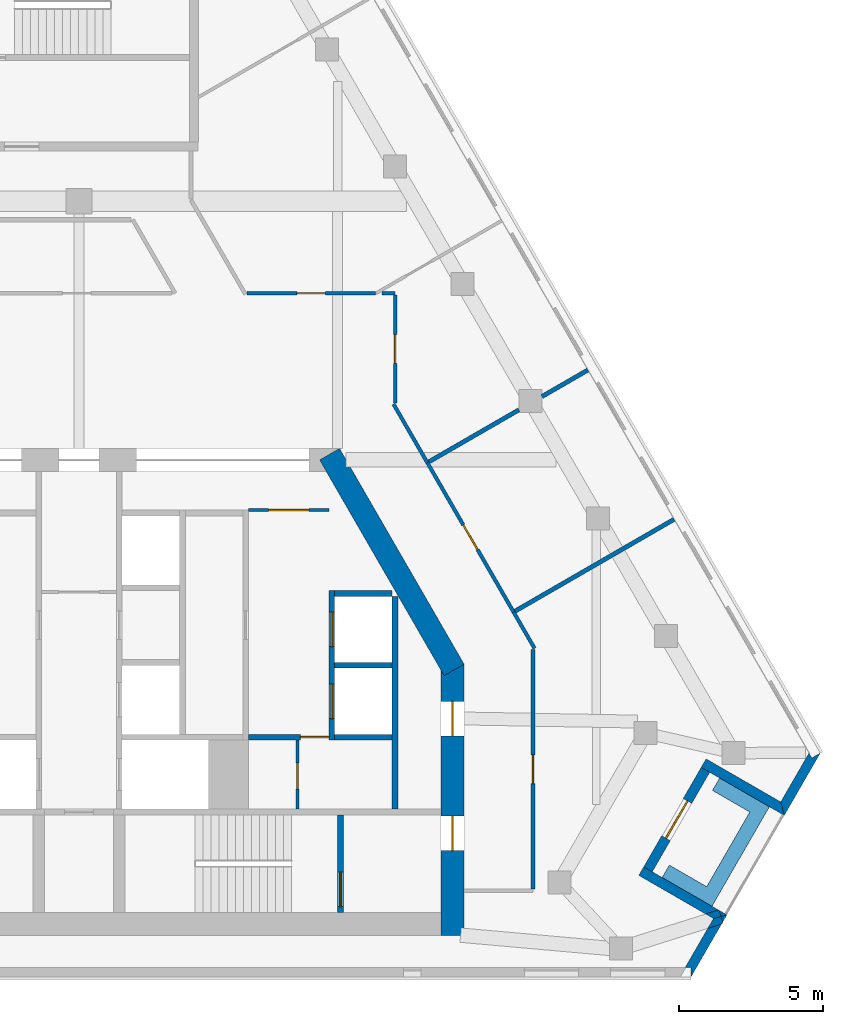
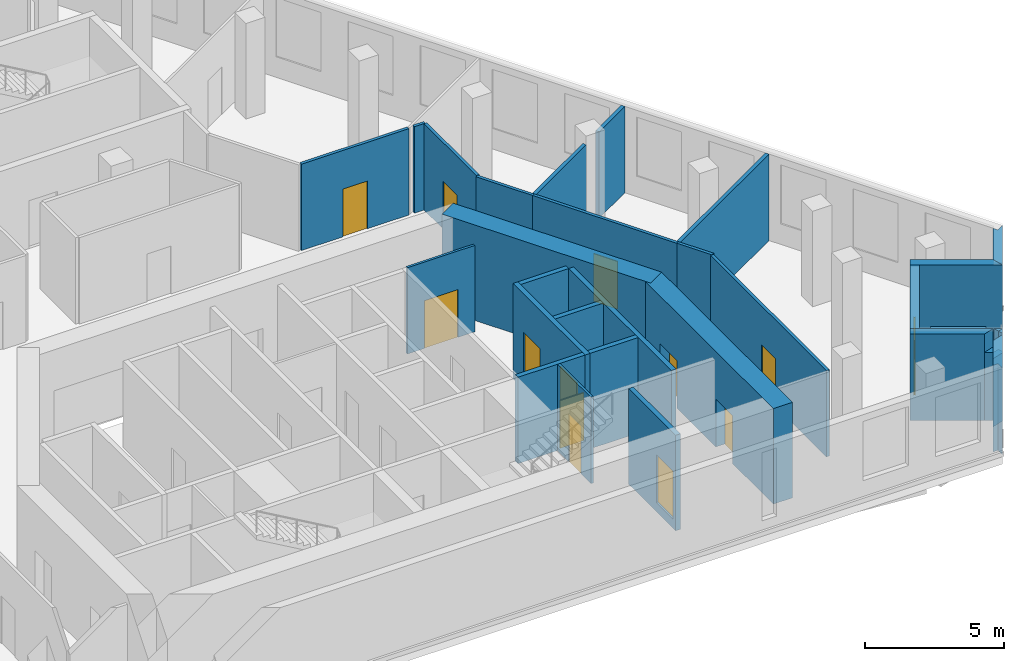
# One storey, part 5 of 8: 31 walls, 13 doors, 13 openings.
"""IFC4 building model written with IfcOpenShell, lengths in metres."""

from ifc_helpers import new_model, si_unit, direction, frame, frame_2d, origin, place, context, subcontext, project, spatial, polyline, rectangle, outline, extrude, material, layer, layer_set, type_object, element, fill, save


model = new_model("IFC4")

# Units and contexts
model_context = context("Model", 3, precision=1e-05, world=origin(), true_north=direction((0.0, 1.0)))
body_context = subcontext(model_context, "Body", "Model", "MODEL_VIEW")
ifc_project = project(units=[si_unit("LENGTHUNIT", "METRE"), si_unit("AREAUNIT", "SQUARE_METRE"), si_unit("VOLUMEUNIT", "CUBIC_METRE"), si_unit("PLANEANGLEUNIT", "RADIAN"), si_unit("MASSUNIT", "GRAM", prefix="KILO")], contexts=[model_context])

# Site, building, storey
site_placement = place(None, origin())
site = spatial("IfcSite", under=ifc_project, at=site_placement, CompositionType="ELEMENT")
building_placement = place(site_placement, origin())
building = spatial("IfcBuilding", under=site, at=building_placement, Name="Fogline Exchange Tower", CompositionType="ELEMENT")
storey_placement = place(building_placement, frame((0.0, 0.0, 275.10009765625)))
storey = spatial("IfcBuildingStorey", under=building, at=storey_placement, Name="L62", CompositionType="ELEMENT", Elevation=275.10009765625)

# Wall, opening, door
ifc_material_1 = material(Name="Blockwork partition", Category="masonry")
ifc_layer_1 = layer(ifc_material_1, 0.10009765625)
ifc_layer_set_1 = layer_set([ifc_layer_1], Name="CW10")
wall_type_1 = type_object("IfcWallType", Name="CW10", PredefinedType="PARTITIONING", material=ifc_layer_set_1)
wall_1_placement = place(storey_placement, frame((5.89990234375, 16.25, 0.0), z_axis=(0.0, 0.0, 1.0), x_axis=(1.0, 0.0, 0.0)))
wall_1 = element("IfcWall", 1, at=wall_1_placement, inside=storey, type_object=wall_type_1, Name="Lift lobby partition", PredefinedType="PARTITIONING", context=body_context, shape_type="SweptSolid", body=[
    extrude(rectangle(XDim=2.800048828125, YDim=0.10009765625, at=frame_2d((1.39990234375, 0.0))), origin(), (0.0, 0.0, 1.0), 3.7998046875),
])
opening_1_placement = place(wall_1_placement, frame((0.699951171875, 0.0, 0.0)))
opening_1 = element("IfcOpeningElement", 2, at=opening_1_placement, cuts=wall_1, Name="Opening T19-C012", PredefinedType="OPENING", context=body_context, shape_type="SweptSolid", body=[
    extrude(rectangle(XDim=1.39990234375, YDim=2.10009765625, at=frame_2d((0.699951171875, 1.050048828125))), frame((0.0, 0.06005859375, 0.0), z_axis=(0.0, -1.0, 0.0), x_axis=(1.0, 0.0, 0.0)), (0.0, 0.0, 1.0), 0.1201171875),
])
ifc_material_2 = material(Name="Steel and timber fire door", Category="steel")
door_type_1 = type_object("IfcDoorType", Name="D-LB1", OperationType="DOUBLE_DOOR_SINGLE_SWING", PredefinedType="DOOR", material=ifc_material_2)
door_1_placement = place(opening_1_placement, origin())
door_1 = element("IfcDoor", 3, at=door_1_placement, inside=storey, type_object=door_type_1, Name="Door to lift lobby", OperationType="DOUBLE_DOOR_SINGLE_SWING", OverallHeight=2.10009765625, OverallWidth=1.39990234375, PredefinedType="DOOR", context=body_context, shape_type="SweptSolid", body=[
    extrude(rectangle(XDim=1.39990234375, YDim=2.10009765625, at=frame_2d((0.699951171875, 1.050048828125))), frame((0.0, 0.02490234375, 0.0), z_axis=(0.0, -1.0, 0.0), x_axis=(1.0, 0.0, 0.0)), (0.0, 0.0, 1.0), 0.050048828125),
])
fill(opening_1, door_1)

wall_2_placement = place(storey_placement, frame((7.60009765625, 5.85009765625, 0.0), z_axis=(0.0, 0.0, 1.0), x_axis=(0.0, 1.0, 0.0)))
wall_2 = element("IfcWall", 4, at=wall_2_placement, inside=storey, type_object=wall_type_1, Name="WC partition", PredefinedType="PARTITIONING", context=body_context, shape_type="SweptSolid", body=[
    extrude(rectangle(XDim=2.39990234375, YDim=0.10009765625, at=frame_2d((1.199951171875, 0.0))), origin(), (0.0, 0.0, 1.0), 3.7998046875),
])
opening_2_placement = place(wall_2_placement, frame((0.699951171875, 0.0, 0.0)))
opening_2 = element("IfcOpeningElement", 5, at=opening_2_placement, cuts=wall_2, Name="Opening T19-C014", PredefinedType="OPENING", context=body_context, shape_type="SweptSolid", body=[
    extrude(rectangle(XDim=0.89990234375, YDim=2.10009765625, at=frame_2d((0.449951171875, 1.050048828125))), frame((0.0, 0.06005859375, 0.0), z_axis=(0.0, -1.0, 0.0), x_axis=(1.0, 0.0, 0.0)), (0.0, 0.0, 1.0), 0.1201171875),
])
door_type_2 = type_object("IfcDoorType", Name="D-CS1", OperationType="SINGLE_SWING_RIGHT", PredefinedType="DOOR", material=ifc_material_2)
door_2_placement = place(opening_2_placement, origin())
door_2 = element("IfcDoor", 6, at=door_2_placement, inside=storey, type_object=door_type_2, Name="Door to Cleaner's Store", OperationType="SINGLE_SWING_LEFT", OverallHeight=2.10009765625, OverallWidth=0.89990234375, PredefinedType="DOOR", context=body_context, shape_type="SweptSolid", body=[
    extrude(rectangle(XDim=0.89990234375, YDim=2.10009765625, at=frame_2d((0.449951171875, 1.050048828125))), frame((0.0, 0.02490234375, 0.0), z_axis=(0.0, -1.0, 0.0), x_axis=(1.0, 0.0, 0.0)), (0.0, 0.0, 1.0), 0.050048828125),
])
fill(opening_2, door_2)

# Wall
ifc_material_3 = material(Name="Concrete C40", Category="concrete")
ifc_layer_2 = layer(ifc_material_3, 0.199951171875)
ifc_layer_set_2 = layer_set([ifc_layer_2], Name="CW20")
wall_type_2 = type_object("IfcWallType", Name="CW20", PredefinedType="SOLIDWALL", material=ifc_layer_set_2)
wall_3_placement = place(storey_placement, frame((11.0, 5.85009765625, 0.0), z_axis=(0.0, 0.0, 1.0), x_axis=(0.0, 1.0, 0.0)))
element("IfcWall", 7, at=wall_3_placement, inside=storey, type_object=wall_type_2, Name="Service room wall", PredefinedType="SOLIDWALL", context=body_context, shape_type="SweptSolid", body=[
    extrude(rectangle(XDim=7.39990234375, YDim=0.199951171875, at=frame_2d((3.699951171875, 0.0))), origin(), (0.0, 0.0, 1.0), 3.7998046875),
])

# Wall, opening, door
wall_4_placement = place(storey_placement, frame((5.89990234375, 8.35009765625, 0.0), z_axis=(0.0, 0.0, 1.0), x_axis=(1.0, 0.0, 0.0)))
wall_4 = element("IfcWall", 8, at=wall_4_placement, inside=storey, type_object=wall_type_2, Name="WC wall", PredefinedType="SOLIDWALL", context=body_context, shape_type="SweptSolid", body=[
    extrude(rectangle(XDim=2.800048828125, YDim=0.199951171875, at=frame_2d((1.39990234375, 0.0))), origin(), (0.0, 0.0, 1.0), 3.7998046875),
])
opening_3_placement = place(wall_4_placement, frame((1.800048828125, 0.0, 0.0)))
opening_3 = element("IfcOpeningElement", 9, at=opening_3_placement, cuts=wall_4, Name="Opening T19-C013", PredefinedType="OPENING", context=body_context, shape_type="SweptSolid", body=[
    extrude(rectangle(XDim=1.0, YDim=2.10009765625, at=frame_2d((0.5, 1.050048828125))), frame((0.0, 0.10986328125, 0.0), z_axis=(0.0, -1.0, 0.0), x_axis=(1.0, 0.0, 0.0)), (0.0, 0.0, 1.0), 0.219970703125),
])
door_type_3 = type_object("IfcDoorType", Name="D-WC1", OperationType="SINGLE_SWING_LEFT", PredefinedType="DOOR", material=ifc_material_2)
door_3_placement = place(opening_3_placement, frame((1.0, 0.0, 0.0), z_axis=(0.0, 0.0, 1.0), x_axis=(-1.0, 0.0, 0.0)))
door_3 = element("IfcDoor", 10, at=door_3_placement, inside=storey, type_object=door_type_3, Name="Door to Women's WC", OperationType="SINGLE_SWING_LEFT", OverallHeight=2.10009765625, OverallWidth=1.0, PredefinedType="DOOR", context=body_context, shape_type="SweptSolid", body=[
    extrude(rectangle(XDim=1.0, YDim=2.10009765625, at=frame_2d((0.5, 1.050048828125))), frame((0.0, 0.02490234375, 0.0), z_axis=(0.0, -1.0, 0.0), x_axis=(1.0, 0.0, 0.0)), (0.0, 0.0, 1.0), 0.050048828125),
])
fill(opening_3, door_3)

ifc_layer_3 = layer(ifc_material_3, 0.199951171875)
ifc_layer_set_3 = layer_set([ifc_layer_3], Name="CW20R")
wall_type_3 = type_object("IfcWallType", Name="CW20R", PredefinedType="SOLIDWALL", material=ifc_layer_set_3)
wall_5_placement = place(storey_placement, frame((9.10009765625, 2.25, -0.400146484375), z_axis=(0.0, 0.0, 1.0), x_axis=(0.0, 1.0, 0.0)))
wall_5 = element("IfcWall", 11, at=wall_5_placement, inside=storey, type_object=wall_type_3, Name="Stair enclosure wall", PredefinedType="SOLIDWALL", context=body_context, shape_type="SweptSolid", body=[
    extrude(rectangle(XDim=3.39990234375, YDim=0.199951171875, at=frame_2d((1.699951171875, 0.0))), origin(), (0.0, 0.0, 1.0), 4.199951171875),
])
opening_4_placement = place(wall_5_placement, frame((0.199951171875, 0.0, 0.39990234375)))
opening_4 = element("IfcOpeningElement", 12, at=opening_4_placement, cuts=wall_5, Name="Opening T19-C016", PredefinedType="OPENING", context=body_context, shape_type="SweptSolid", body=[
    extrude(rectangle(XDim=1.199951171875, YDim=2.10009765625, at=frame_2d((0.60009765625, 1.050048828125))), frame((0.0, 0.10986328125, 0.0), z_axis=(0.0, -1.0, 0.0), x_axis=(1.0, 0.0, 0.0)), (0.0, 0.0, 1.0), 0.219970703125),
])
door_type_4 = type_object("IfcDoorType", Name="D-ST1", OperationType="SINGLE_SWING_LEFT", PredefinedType="DOOR", material=ifc_material_2)
door_4_placement = place(opening_4_placement, origin())
door_4 = element("IfcDoor", 13, at=door_4_placement, inside=storey, type_object=door_type_4, Name="Stair door ST2", OperationType="SINGLE_SWING_LEFT", OverallHeight=2.10009765625, OverallWidth=1.199951171875, PredefinedType="DOOR", context=body_context, shape_type="SweptSolid", body=[
    extrude(rectangle(XDim=1.199951171875, YDim=2.10009765625, at=frame_2d((0.60009765625, 1.050048828125))), frame((0.0, 0.02490234375, 0.0), z_axis=(0.0, -1.0, 0.0), x_axis=(1.0, 0.0, 0.0)), (0.0, 0.0, 1.0), 0.050048828125),
])
fill(opening_4, door_4)

# Wall, openings, doors
ifc_layer_4 = layer(ifc_material_3, 0.199951171875)
ifc_layer_set_4 = layer_set([ifc_layer_4], Name="CW20S")
wall_type_4 = type_object("IfcWallType", Name="CW20S", PredefinedType="SOLIDWALL", material=ifc_layer_set_4)
wall_6_placement = place(storey_placement, frame((8.800048828125, 8.25, -0.400146484375), z_axis=(0.0, 0.0, 1.0), x_axis=(0.0, 1.0, 0.0)))
wall_6 = element("IfcWall", 14, at=wall_6_placement, inside=storey, type_object=wall_type_4, Name="Lift shaft wall", PredefinedType="SOLIDWALL", context=body_context, shape_type="SweptSolid", body=[
    extrude(rectangle(XDim=5.199951171875, YDim=0.199951171875, at=frame_2d((2.60009765625, 0.0))), origin(), (0.0, 0.0, 1.0), 4.199951171875),
])
opening_5_placement = place(wall_6_placement, frame((0.75, 0.0, 0.39990234375)))
opening_5 = element("IfcOpeningElement", 15, at=opening_5_placement, cuts=wall_6, Name="Opening T19-LD02", PredefinedType="OPENING", context=body_context, shape_type="SweptSolid", body=[
    extrude(rectangle(XDim=1.199951171875, YDim=2.10009765625, at=frame_2d((0.60009765625, 1.050048828125))), frame((0.0, 0.10986328125, 0.0), z_axis=(0.0, -1.0, 0.0), x_axis=(1.0, 0.0, 0.0)), (0.0, 0.0, 1.0), 0.219970703125),
])
opening_6_placement = place(wall_6_placement, frame((3.25, 0.0, 0.39990234375)))
opening_6 = element("IfcOpeningElement", 16, at=opening_6_placement, cuts=wall_6, Name="Opening T19-LD03", PredefinedType="OPENING", context=body_context, shape_type="SweptSolid", body=[
    extrude(rectangle(XDim=1.199951171875, YDim=2.10009765625, at=frame_2d((0.60009765625, 1.050048828125))), frame((0.0, 0.10986328125, 0.0), z_axis=(0.0, -1.0, 0.0), x_axis=(1.0, 0.0, 0.0)), (0.0, 0.0, 1.0), 0.219970703125),
])
door_type_5 = type_object("IfcDoorType", Name="LD1", OperationType="SLIDING_TO_LEFT", PredefinedType="DOOR", material=ifc_material_2)
door_5_placement = place(opening_5_placement, origin())
door_5 = element("IfcDoor", 17, at=door_5_placement, inside=storey, type_object=door_type_5, Name="Landing door HR1", OperationType="SLIDING_TO_LEFT", OverallHeight=2.10009765625, OverallWidth=1.199951171875, PredefinedType="DOOR", context=body_context, shape_type="SweptSolid", body=[
    extrude(rectangle(XDim=1.199951171875, YDim=2.10009765625, at=frame_2d((0.60009765625, 1.050048828125))), frame((0.0, 0.02490234375, 0.0), z_axis=(0.0, -1.0, 0.0), x_axis=(1.0, 0.0, 0.0)), (0.0, 0.0, 1.0), 0.050048828125),
])
fill(opening_5, door_5)
door_6_placement = place(opening_6_placement, origin())
door_6 = element("IfcDoor", 18, at=door_6_placement, inside=storey, type_object=door_type_5, Name="Landing door HR2", OperationType="SLIDING_TO_LEFT", OverallHeight=2.10009765625, OverallWidth=1.199951171875, PredefinedType="DOOR", context=body_context, shape_type="SweptSolid", body=[
    extrude(rectangle(XDim=1.199951171875, YDim=2.10009765625, at=frame_2d((0.60009765625, 1.050048828125))), frame((0.0, 0.02490234375, 0.0), z_axis=(0.0, -1.0, 0.0), x_axis=(1.0, 0.0, 0.0)), (0.0, 0.0, 1.0), 0.050048828125),
])
fill(opening_6, door_6)

# Walls
for number, where, z_axis, x_axis, name in (
    (19, (8.89990234375, 8.35009765625, -0.400146484375), (0.0, 0.0, 1.0), (1.0, 0.0, 0.0), "Lift shaft wall"),
    (20, (8.89990234375, 10.85009765625, -0.400146484375), (0.0, 0.0, 1.0), (1.0, 0.0, 0.0), "Lift shaft wall"),
    (21, (8.89990234375, 13.35009765625, -0.400146484375), (0.0, 0.0, 1.0), (1.0, 0.0, 0.0), "Lift shaft wall"),
):
    element("IfcWall", number, at=place(storey_placement, frame(where, z_axis=z_axis, x_axis=x_axis)), inside=storey, type_object=wall_type_4, Name=name, PredefinedType="SOLIDWALL", context=body_context, shape_type="SweptSolid", body=[
        extrude(rectangle(XDim=2.0, YDim=0.199951171875, at=frame_2d((1.0, 0.0))), origin(), (0.0, 0.0, 1.0), 4.199951171875),
    ])
ifc_material_4 = material(Name="Brick masonry", Category="masonry")
ifc_layer_5 = layer(ifc_material_4, 0.340087890625)
ifc_layer_set_5 = layer_set([ifc_layer_5], Name="FW1")
wall_type_5 = type_object("IfcWallType", Name="FW1", PredefinedType="SOLIDWALL", material=ifc_layer_set_5)
wall_7_placement = place(storey_placement, origin())
element("IfcWall", 22, at=wall_7_placement, inside=storey, type_object=wall_type_5, Name="Brick wall L62 SE-c1", PredefinedType="SOLIDWALL", context=body_context, shape_type="SweptSolid", body=[
    extrude(outline(polyline([(22.36474609375, 1.848388671875), (21.882568359375, 1.695556640625), (22.08203125, 2.041015625), (22.3427734375, 2.11083984375), (22.404296875, 1.91650390625), (22.36474609375, 1.848388671875)])), origin(), (0.0, 0.0, 1.0), 3.0),
])
wall_8_placement = place(storey_placement, origin())
element("IfcWall", 23, at=wall_8_placement, inside=storey, type_object=wall_type_5, Name="Brick wall L62 SE-c1", PredefinedType="SOLIDWALL", context=body_context, shape_type="SweptSolid", body=[
    extrude(outline(polyline([(22.404296875, 1.91650390625), (22.3427734375, 2.11083984375), (22.5478515625, 2.166015625), (22.548095703125, 2.165771484375), (22.404296875, 1.91650390625)])), origin(), (0.0, 0.0, 1.0), 3.7998046875),
])
wall_9_placement = place(storey_placement, origin())
element("IfcWall", 24, at=wall_9_placement, inside=storey, type_object=wall_type_5, Name="Brick wall L62 SE-c1", PredefinedType="SOLIDWALL", context=body_context, shape_type="SweptSolid", body=[
    extrude(outline(polyline([(21.296875, -0.001220703125), (21.29638671875, -0.0009765625), (21.29638671875, 0.33935546875), (21.099609375, 0.33935546875), (21.882568359375, 1.695556640625), (22.36474609375, 1.848388671875), (21.296875, -0.001220703125)])), origin(), (0.0, 0.0, 1.0), 3.7998046875),
])
wall_10_placement = place(storey_placement, origin())
element("IfcWall", 25, at=wall_10_placement, inside=storey, type_object=wall_type_5, Name="Brick wall L62 SE-s1", PredefinedType="SOLIDWALL", context=body_context, shape_type="SweptSolid", body=[
    extrude(outline(polyline([(22.275634765625, 2.322265625), (22.343017578125, 2.10986328125), (22.08251953125, 2.0400390625), (21.810302734375, 2.197265625), (22.2509765625, 2.336669921875), (22.275634765625, 2.322265625)])), origin(), (0.0, 0.0, 1.0), 3.0),
])
wall_11_placement = place(storey_placement, origin())
element("IfcWall", 26, at=wall_11_placement, inside=storey, type_object=wall_type_5, Name="Brick wall L62 SE-s1", PredefinedType="SOLIDWALL", context=body_context, shape_type="SweptSolid", body=[
    extrude(outline(polyline([(19.654296875, 3.8359375), (19.94921875, 3.66552734375), (22.2509765625, 2.336669921875), (21.810302734375, 2.197265625), (19.483642578125, 3.540283203125), (19.654296875, 3.8359375)])), origin(), (0.0, 0.0, 1.0), 3.7998046875),
])
wall_12_placement = place(storey_placement, origin())
element("IfcWall", 27, at=wall_12_placement, inside=storey, type_object=wall_type_5, Name="Brick wall L62 SE-s1", PredefinedType="SOLIDWALL", context=body_context, shape_type="SweptSolid", body=[
    extrude(outline(polyline([(22.548095703125, 2.1650390625), (22.548095703125, 2.164794921875), (22.343017578125, 2.10986328125), (22.275634765625, 2.322265625), (22.548095703125, 2.1650390625)])), origin(), (0.0, 0.0, 1.0), 3.7998046875),
])

# Wall, opening, door
wall_13_placement = place(storey_placement, frame((19.8017578125, 3.75, 0.0), z_axis=(0.0, 0.0, 1.0), x_axis=(0.49999894854, 0.866026010844, 0.0)))
wall_13 = element("IfcWall", 28, at=wall_13_placement, inside=storey, type_object=wall_type_5, Name="Brick wall L62 SE-bk", PredefinedType="SOLIDWALL", context=body_context, shape_type="SweptSolid", body=[
    extrude(rectangle(XDim=4.0, YDim=0.340087890625, at=frame_2d((2.0, 0.0))), origin(), (0.0, 0.0, 1.0), 3.7998046875),
])
opening_7_placement = place(wall_13_placement, frame((1.25, 0.0, 0.0)))
opening_7 = element("IfcOpeningElement", 29, at=opening_7_placement, cuts=wall_13, Name="Opening T19-E081", PredefinedType="OPENING", context=body_context, shape_type="SweptSolid", body=[
    extrude(rectangle(XDim=1.5, YDim=2.39990234375, at=frame_2d((0.75, 1.199951171875))), frame((0.0, 0.18017578125, 0.0), z_axis=(0.0, -1.0, 0.0), x_axis=(1.0, 0.0, 0.0)), (0.0, 0.0, 1.0), 0.360107421875),
])
ifc_material_5 = material(Name="Aluminium and glass", Category="aluminium")
door_type_6 = type_object("IfcDoorType", Name="ED4", OperationType="SINGLE_SWING_LEFT", PredefinedType="DOOR", material=ifc_material_5)
door_7_placement = place(opening_7_placement, frame((1.5, 0.0, 0.0), z_axis=(0.0, 0.0, 1.0), x_axis=(-1.0, 0.0, 0.0)))
door_7 = element("IfcDoor", 30, at=door_7_placement, inside=storey, type_object=door_type_6, Name="Balcony door L62 SE", OperationType="DOUBLE_DOOR_SINGLE_SWING", OverallHeight=2.39990234375, OverallWidth=1.5, PredefinedType="DOOR", context=body_context, shape_type="SweptSolid", body=[
    extrude(rectangle(XDim=1.5, YDim=2.39990234375, at=frame_2d((0.75, 1.199951171875))), frame((0.0, 0.02490234375, 0.0), z_axis=(0.0, -1.0, 0.0), x_axis=(1.0, 0.0, 0.0)), (0.0, 0.0, 1.0), 0.050048828125),
])
fill(opening_7, door_7)

# Walls
wall_14_placement = place(storey_placement, origin())
element("IfcWall", 31, at=wall_14_placement, inside=storey, type_object=wall_type_5, Name="Brick wall L62 SE-s2", PredefinedType="SOLIDWALL", context=body_context, shape_type="SweptSolid", body=[
    extrude(outline(polyline([(24.547607421875, 5.628173828125), (21.948486328125, 7.128662109375), (21.653564453125, 7.298828125), (21.82421875, 7.594482421875), (24.423095703125, 6.093994140625), (24.5478515625, 5.62841796875), (24.547607421875, 5.628173828125)])), origin(), (0.0, 0.0, 1.0), 3.7998046875),
])
wall_15_placement = place(storey_placement, origin())
element("IfcWall", 32, at=wall_15_placement, inside=storey, type_object=wall_type_5, Name="Brick wall L62 SE-c2", PredefinedType="SOLIDWALL", context=body_context, shape_type="SweptSolid", body=[
    extrude(outline(polyline([(25.404296875, 7.79541015625), (25.502685546875, 7.625), (25.797607421875, 7.79541015625), (25.798095703125, 7.794921875), (24.546875, 5.6279296875), (24.546630859375, 5.6279296875), (24.421875, 6.09375), (25.404296875, 7.79541015625)])), origin(), (0.0, 0.0, 1.0), 3.7998046875),
])
ifc_material_6 = material(Name="Concrete C30", Category="concrete")
ifc_layer_6 = layer(ifc_material_6, 0.199951171875)
ifc_layer_set_6 = layer_set([ifc_layer_6], Name="PL1")
wall_type_6 = type_object("IfcWallType", Name="PL1", PredefinedType="USERDEFINED", material=ifc_layer_set_6)
wall_16_placement = place(storey_placement, origin())
element("IfcWall", 33, at=wall_16_placement, inside=storey, type_object=wall_type_6, Name="PLANTER balcony L62 SE", ObjectType="PLANTER", PredefinedType="USERDEFINED", context=body_context, shape_type="SweptSolid", body=[
    extrude(outline(polyline([(20.29541015625, 3.465087890625), (21.59423828125, 2.715087890625), (21.59423828125, 2.715087890625), (22.02734375, 2.465087890625), (23.77734375, 5.49609375), (24.02734375, 5.92919921875), (22.29541015625, 6.92919921875), (22.04541015625, 6.49609375), (23.34423828125, 5.74609375), (21.84423828125, 3.148193359375), (20.54541015625, 3.898193359375), (20.29541015625, 3.465087890625)])), origin(), (0.0, 0.0, 1.0), 1.099853515625),
])
ifc_material_7 = material(Name="Plasterboard corridor partition with mineral wool, 2 layers each side")
ifc_layer_7 = layer(ifc_material_7, 0.125)
ifc_layer_set_7 = layer_set([ifc_layer_7], Name="PW2")
wall_type_7 = type_object("IfcWallType", Name="PW2", PredefinedType="PARTITIONING", material=ifc_layer_set_7)
wall_17_placement = place(storey_placement, frame((10.94580078125, 19.942626953125, 0.0), z_axis=(0.0, 0.0, 1.0), x_axis=(0.500018540756, -0.866014699009, 0.0)))
element("IfcWall", 34, at=wall_17_placement, inside=storey, type_object=wall_type_7, Name="wall-L62-W001", PredefinedType="PARTITIONING", context=body_context, shape_type="SweptSolid", body=[
    extrude(rectangle(XDim=2.35546875, YDim=0.125, at=frame_2d((1.177734375, 0.0))), origin(), (0.0, 0.0, 1.0), 3.7998046875),
])
wall_18_placement = place(storey_placement, frame((15.12353515625, 12.70654296875, 0.0), z_axis=(0.0, 0.0, 1.0), x_axis=(0.500002030309, -0.866024231582, 0.0)))
element("IfcWall", 35, at=wall_18_placement, inside=storey, type_object=wall_type_7, Name="wall-L62-W002", PredefinedType="PARTITIONING", context=body_context, shape_type="SweptSolid", body=[
    extrude(rectangle(XDim=1.46142578125, YDim=0.125, at=frame_2d((0.730712890625, 0.0))), origin(), (0.0, 0.0, 1.0), 3.7998046875),
])

# Wall, opening, door
wall_19_placement = place(storey_placement, frame((15.800048828125, 11.409912109375, 0.0), z_axis=(0.0, 0.0, 1.0), x_axis=(0.0, -1.0, 0.0)))
wall_19 = element("IfcWall", 36, at=wall_19_placement, inside=storey, type_object=wall_type_7, Name="wall-L62-W003", PredefinedType="PARTITIONING", context=body_context, shape_type="SweptSolid", body=[
    extrude(rectangle(XDim=8.347412109375, YDim=0.125, at=frame_2d((4.173828125, 0.0))), origin(), (0.0, 0.0, 1.0), 3.7998046875),
])
opening_8_placement = place(wall_19_placement, frame((3.673583984375, 0.0, 0.0)))
opening_8 = element("IfcOpeningElement", 37, at=opening_8_placement, cuts=wall_19, Name="Opening T19-D001", PredefinedType="OPENING", context=body_context, shape_type="SweptSolid", body=[
    extrude(rectangle(XDim=1.0, YDim=2.10009765625, at=frame_2d((0.5, 1.050048828125))), frame((0.0, 0.072509765625, 0.0), z_axis=(0.0, -1.0, 0.0), x_axis=(1.0, 0.0, 0.0)), (0.0, 0.0, 1.0), 0.14501953125),
])
ifc_material_8 = material(Name="Fire-rated timber door leaf with steel frame", Category="steel")
door_type_7 = type_object("IfcDoorType", Name="D3", OperationType="SINGLE_SWING_LEFT", PredefinedType="DOOR", material=ifc_material_8)
door_8_placement = place(opening_8_placement, origin())
door_8 = element("IfcDoor", 38, at=door_8_placement, inside=storey, type_object=door_type_7, Name="door-L62-D001", OperationType="SINGLE_SWING_RIGHT", OverallHeight=2.10009765625, OverallWidth=1.0, PredefinedType="DOOR", context=body_context, shape_type="SweptSolid", body=[
    extrude(rectangle(XDim=1.0, YDim=2.10009765625, at=frame_2d((0.5, 1.050048828125))), frame((0.0, 0.02490234375, 0.0), z_axis=(0.0, -1.0, 0.0), x_axis=(1.0, 0.0, 0.0)), (0.0, 0.0, 1.0), 0.050048828125),
])
fill(opening_8, door_8)

wall_20_placement = place(storey_placement, frame((12.12353515625, 17.90283203125, 0.0), z_axis=(0.0, 0.0, 1.0), x_axis=(0.499990139034, -0.866031096941, 0.0)))
wall_20 = element("IfcWall", 39, at=wall_20_placement, inside=storey, type_object=wall_type_7, Name="wall-L62-W005", PredefinedType="PARTITIONING", context=body_context, shape_type="SweptSolid", body=[
    extrude(rectangle(XDim=6.0, YDim=0.125, at=frame_2d((3.0, 0.0))), origin(), (0.0, 0.0, 1.0), 3.7998046875),
])
opening_9_placement = place(wall_20_placement, frame((2.5, 0.0, 0.0)))
opening_9 = element("IfcOpeningElement", 40, at=opening_9_placement, cuts=wall_20, Name="Opening T19-D002", PredefinedType="OPENING", context=body_context, shape_type="SweptSolid", body=[
    extrude(rectangle(XDim=1.0, YDim=2.10009765625, at=frame_2d((0.5, 1.050048828125))), frame((0.0, 0.072509765625, 0.0), z_axis=(0.0, -1.0, 0.0), x_axis=(1.0, 0.0, 0.0)), (0.0, 0.0, 1.0), 0.14501953125),
])
door_9_placement = place(opening_9_placement, origin())
door_9 = element("IfcDoor", 41, at=door_9_placement, inside=storey, type_object=door_type_7, Name="door-L62-D002", OperationType="SINGLE_SWING_LEFT", OverallHeight=2.10009765625, OverallWidth=1.0, PredefinedType="DOOR", context=body_context, shape_type="SweptSolid", body=[
    extrude(rectangle(XDim=1.0, YDim=2.10009765625, at=frame_2d((0.5, 1.050048828125))), frame((0.0, 0.02490234375, 0.0), z_axis=(0.0, -1.0, 0.0), x_axis=(1.0, 0.0, 0.0)), (0.0, 0.0, 1.0), 0.050048828125),
])
fill(opening_9, door_9)

# Wall
wall_21_placement = place(storey_placement, frame((10.54638671875, 23.800048828125, 0.0), z_axis=(0.0, 0.0, 1.0), x_axis=(1.0, 0.0, 0.0)))
element("IfcWall", 42, at=wall_21_placement, inside=storey, type_object=wall_type_7, Name="wall-L62-W006", PredefinedType="PARTITIONING", context=body_context, shape_type="SweptSolid", body=[
    extrude(rectangle(XDim=0.45361328125, YDim=0.125, at=frame_2d((0.226806640625, 0.0))), origin(), (0.0, 0.0, 1.0), 3.7998046875),
])

# Wall, opening, door
wall_22_placement = place(storey_placement, frame((11.0, 23.737548828125, 0.0), z_axis=(0.0, 0.0, 1.0), x_axis=(0.0, -1.0, 0.0)))
wall_22 = element("IfcWall", 43, at=wall_22_placement, inside=storey, type_object=wall_type_7, Name="wall-L62-W007", PredefinedType="PARTITIONING", context=body_context, shape_type="SweptSolid", body=[
    extrude(rectangle(XDim=3.763916015625, YDim=0.125, at=frame_2d((1.8818359375, 0.0))), origin(), (0.0, 0.0, 1.0), 3.7998046875),
])
opening_10_placement = place(wall_22_placement, frame((1.3818359375, 0.0, 0.0)))
opening_10 = element("IfcOpeningElement", 44, at=opening_10_placement, cuts=wall_22, Name="Opening T19-D003", PredefinedType="OPENING", context=body_context, shape_type="SweptSolid", body=[
    extrude(rectangle(XDim=1.0, YDim=2.10009765625, at=frame_2d((0.5, 1.050048828125))), frame((0.0, 0.072509765625, 0.0), z_axis=(0.0, -1.0, 0.0), x_axis=(1.0, 0.0, 0.0)), (0.0, 0.0, 1.0), 0.14501953125),
])
door_10_placement = place(opening_10_placement, origin())
door_10 = element("IfcDoor", 45, at=door_10_placement, inside=storey, type_object=door_type_7, Name="door-L62-D003", OperationType="SINGLE_SWING_RIGHT", OverallHeight=2.10009765625, OverallWidth=1.0, PredefinedType="DOOR", context=body_context, shape_type="SweptSolid", body=[
    extrude(rectangle(XDim=1.0, YDim=2.10009765625, at=frame_2d((0.5, 1.050048828125))), frame((0.0, 0.02490234375, 0.0), z_axis=(0.0, -1.0, 0.0), x_axis=(1.0, 0.0, 0.0)), (0.0, 0.0, 1.0), 0.050048828125),
])
fill(opening_10, door_10)

wall_23_placement = place(storey_placement, frame((5.84326171875, 23.800048828125, 0.0), z_axis=(0.0, 0.0, 1.0), x_axis=(1.0, 0.0, 0.0)))
wall_23 = element("IfcWall", 46, at=wall_23_placement, inside=storey, type_object=wall_type_7, Name="wall-L62-W008", PredefinedType="PARTITIONING", context=body_context, shape_type="SweptSolid", body=[
    extrude(rectangle(XDim=4.468994140625, YDim=0.125, at=frame_2d((2.234375, 0.0))), origin(), (0.0, 0.0, 1.0), 3.7998046875),
])
opening_11_placement = place(wall_23_placement, frame((1.734619140625, 0.0, 0.0)))
opening_11 = element("IfcOpeningElement", 47, at=opening_11_placement, cuts=wall_23, Name="Opening T19-D004", PredefinedType="OPENING", context=body_context, shape_type="SweptSolid", body=[
    extrude(rectangle(XDim=1.0, YDim=2.10009765625, at=frame_2d((0.5, 1.050048828125))), frame((0.0, 0.072509765625, 0.0), z_axis=(0.0, -1.0, 0.0), x_axis=(1.0, 0.0, 0.0)), (0.0, 0.0, 1.0), 0.14501953125),
])
door_11_placement = place(opening_11_placement, origin())
door_11 = element("IfcDoor", 48, at=door_11_placement, inside=storey, type_object=door_type_7, Name="door-L62-D004", OperationType="SINGLE_SWING_LEFT", OverallHeight=2.10009765625, OverallWidth=1.0, PredefinedType="DOOR", context=body_context, shape_type="SweptSolid", body=[
    extrude(rectangle(XDim=1.0, YDim=2.10009765625, at=frame_2d((0.5, 1.050048828125))), frame((0.0, 0.02490234375, 0.0), z_axis=(0.0, -1.0, 0.0), x_axis=(1.0, 0.0, 0.0)), (0.0, 0.0, 1.0), 0.050048828125),
])
fill(opening_11, door_11)

# Walls
ifc_material_9 = material(Name="Plasterboard demising partition with mineral wool and acoustic board")
ifc_layer_8 = layer(ifc_material_9, 0.14990234375)
ifc_layer_set_8 = layer_set([ifc_layer_8], Name="PW3")
wall_type_8 = type_object("IfcWallType", Name="PW3", PredefinedType="PARTITIONING", material=ifc_layer_set_8)
wall_24_placement = place(storey_placement, frame((17.70703125, 21.12646484375, 0.0), z_axis=(0.0, 0.0, 1.0), x_axis=(-0.866020375458, -0.500008709215, 0.0)))
element("IfcWall", 49, at=wall_24_placement, inside=storey, type_object=wall_type_8, Name="wall-L62-W027", PredefinedType="PARTITIONING", context=body_context, shape_type="SweptSolid", body=[
    extrude(rectangle(XDim=1.845703125, YDim=0.14990234375, at=frame_2d((0.9228515625, 0.0))), origin(), (0.0, 0.0, 1.0), 3.7998046875),
])
wall_25_placement = place(storey_placement, frame((15.30859375, 19.74169921875, 0.0), z_axis=(0.0, 0.0, 1.0), x_axis=(-0.866040526528, -0.499973805724, 0.0)))
element("IfcWall", 50, at=wall_25_placement, inside=storey, type_object=wall_type_8, Name="wall-L62-W028", PredefinedType="PARTITIONING", context=body_context, shape_type="SweptSolid", body=[
    extrude(rectangle(XDim=3.615478515625, YDim=0.14990234375, at=frame_2d((1.8076171875, 0.0))), origin(), (0.0, 0.0, 1.0), 3.7998046875),
])
wall_26_placement = place(storey_placement, frame((15.177490234375, 12.73779296875, 0.0), z_axis=(0.0, 0.0, 1.0), x_axis=(0.866015572945, 0.500017027127, 0.0)))
element("IfcWall", 51, at=wall_26_placement, inside=storey, type_object=wall_type_8, Name="wall-L62-W039", PredefinedType="PARTITIONING", context=body_context, shape_type="SweptSolid", body=[
    extrude(rectangle(XDim=6.385009765625, YDim=0.14990234375, at=frame_2d((3.1923828125, 0.0))), origin(), (0.0, 0.0, 1.0), 3.7998046875),
])

# Wall, openings, doors
ifc_material_10 = material(Name="Concrete C50", Category="concrete")
ifc_layer_9 = layer(ifc_material_10, 0.800048828125)
ifc_layer_set_9 = layer_set([ifc_layer_9], Name="SW04")
wall_type_9 = type_object("IfcWallType", Name="SW04", PredefinedType="SHEAR", material=ifc_layer_set_9)
wall_27_placement = place(storey_placement, frame((13.0, 1.449951171875, 0.0), z_axis=(0.0, 0.0, 1.0), x_axis=(0.0, 1.0, 0.0)))
wall_27 = element("IfcWall", 52, at=wall_27_placement, inside=storey, type_object=wall_type_9, Name="L62-W902", PredefinedType="SHEAR", context=body_context, shape_type="SweptSolid", body=[
    extrude(rectangle(XDim=9.44189453125, YDim=0.800048828125, at=frame_2d((4.720947265625, 0.0))), origin(), (0.0, 0.0, 1.0), 4.199951171875),
])
opening_12_placement = place(wall_27_placement, frame((2.949951171875, 0.0, 0.0)))
opening_12 = element("IfcOpeningElement", 53, at=opening_12_placement, cuts=wall_27, Name="Opening T19-C015", PredefinedType="OPENING", context=body_context, shape_type="SweptSolid", body=[
    extrude(rectangle(XDim=1.199951171875, YDim=2.10009765625, at=frame_2d((0.60009765625, 1.050048828125))), frame((0.0, 0.41015625, 0.0), z_axis=(0.0, -1.0, 0.0), x_axis=(1.0, 0.0, 0.0)), (0.0, 0.0, 1.0), 0.820068359375),
])
opening_13_placement = place(wall_27_placement, frame((6.949951171875, 0.0, 0.0)))
opening_13 = element("IfcOpeningElement", 54, at=opening_13_placement, cuts=wall_27, Name="Opening T19-C017", PredefinedType="OPENING", context=body_context, shape_type="SweptSolid", body=[
    extrude(rectangle(XDim=1.199951171875, YDim=2.10009765625, at=frame_2d((0.60009765625, 1.050048828125))), frame((0.0, 0.41015625, 0.0), z_axis=(0.0, -1.0, 0.0), x_axis=(1.0, 0.0, 0.0)), (0.0, 0.0, 1.0), 0.820068359375),
])
door_type_8 = type_object("IfcDoorType", Name="D-FR1", OperationType="SINGLE_SWING_RIGHT", PredefinedType="DOOR", material=ifc_material_2)
door_12_placement = place(opening_12_placement, origin())
door_12 = element("IfcDoor", 55, at=door_12_placement, inside=storey, type_object=door_type_8, Name="Front room door ST2", OperationType="SINGLE_SWING_RIGHT", OverallHeight=2.10009765625, OverallWidth=1.199951171875, PredefinedType="DOOR", context=body_context, shape_type="SweptSolid", body=[
    extrude(rectangle(XDim=1.199951171875, YDim=2.10009765625, at=frame_2d((0.60009765625, 1.050048828125))), frame((0.0, 0.02490234375, 0.0), z_axis=(0.0, -1.0, 0.0), x_axis=(1.0, 0.0, 0.0)), (0.0, 0.0, 1.0), 0.050048828125),
])
fill(opening_12, door_12)
door_type_9 = type_object("IfcDoorType", Name="D-SV1", OperationType="SINGLE_SWING_LEFT", PredefinedType="DOOR", material=ifc_material_2)
door_13_placement = place(opening_13_placement, origin())
door_13 = element("IfcDoor", 56, at=door_13_placement, inside=storey, type_object=door_type_9, Name="Service door E", OperationType="SINGLE_SWING_RIGHT", OverallHeight=2.10009765625, OverallWidth=1.199951171875, PredefinedType="DOOR", context=body_context, shape_type="SweptSolid", body=[
    extrude(rectangle(XDim=1.199951171875, YDim=2.10009765625, at=frame_2d((0.60009765625, 1.050048828125))), frame((0.0, 0.02490234375, 0.0), z_axis=(0.0, -1.0, 0.0), x_axis=(1.0, 0.0, 0.0)), (0.0, 0.0, 1.0), 0.050048828125),
])
fill(opening_13, door_13)

# Wall
wall_28_placement = place(storey_placement, frame((13.0537109375, 10.69189453125, 0.0), z_axis=(0.0, 0.0, 1.0), x_axis=(-0.500015780397, 0.866016292776, 0.0)))
element("IfcWall", 57, at=wall_28_placement, inside=storey, type_object=wall_type_9, Name="L62-W903", PredefinedType="SHEAR", context=body_context, shape_type="SweptSolid", body=[
    extrude(rectangle(XDim=8.669677734375, YDim=0.800048828125, at=frame_2d((4.3349609375, 0.0))), origin(), (0.0, 0.0, 1.0), 4.199951171875),
])

save(model, "model.ifc")
